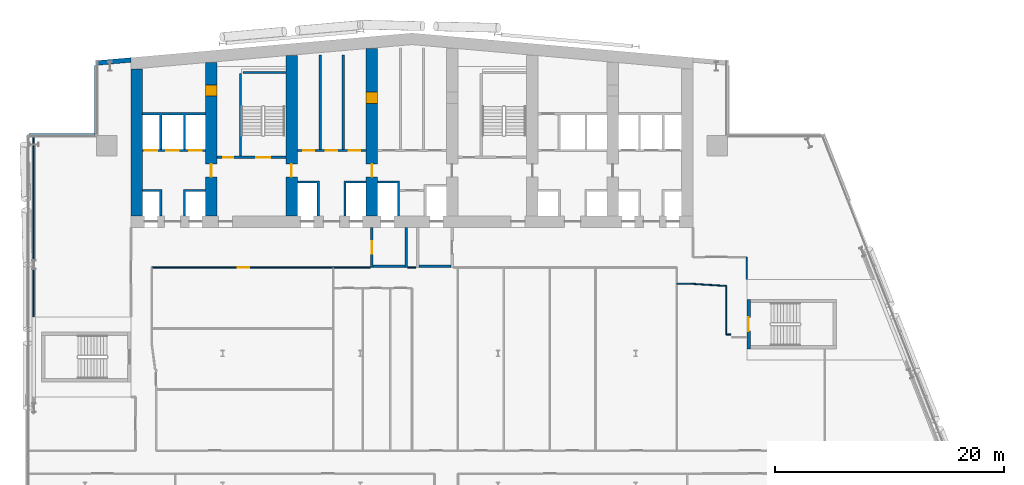
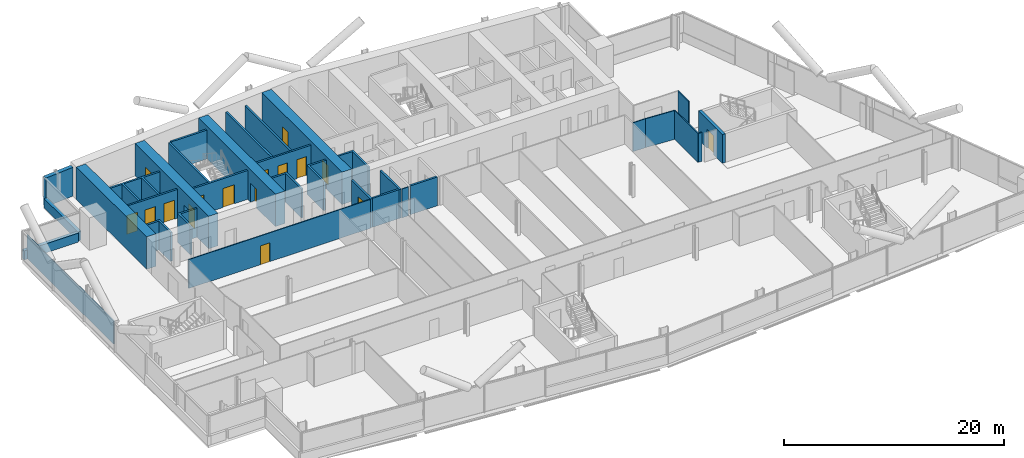
# One storey, part 16 of 27: 33 walls, 16 doors, 16 openings.
"""IFC4 building model written with IfcOpenShell, lengths in metres."""

from ifc_helpers import new_model, si_unit, direction, frame, frame_2d, origin, place, context, subcontext, project, spatial, polyline, rectangle, outline, extrude, material, layer, layer_set, type_object, element, fill, save


model = new_model("IFC4")

# Units and contexts
model_context = context("Model", 3, precision=1e-05, world=origin(), true_north=direction((0.0, 1.0)))
body_context = subcontext(model_context, "Body", "Model", "MODEL_VIEW")
ifc_project = project(units=[si_unit("LENGTHUNIT", "METRE"), si_unit("AREAUNIT", "SQUARE_METRE"), si_unit("VOLUMEUNIT", "CUBIC_METRE"), si_unit("PLANEANGLEUNIT", "RADIAN"), si_unit("MASSUNIT", "GRAM", prefix="KILO")], contexts=[model_context])

# Site, building, storey
site_placement = place(None, origin())
site = spatial("IfcSite", under=ifc_project, at=site_placement, CompositionType="ELEMENT")
building_placement = place(site_placement, origin())
building = spatial("IfcBuilding", under=site, at=building_placement, Name="Wharfspan Tower", CompositionType="ELEMENT")
storey_placement = place(building_placement, frame((0.0, 0.0, 139.899902)))
storey = spatial("IfcBuildingStorey", under=building, at=storey_placement, Name="L33", CompositionType="ELEMENT", Elevation=139.899902)

# Wall, opening, door
ifc_material_1 = material(Name="Gypsum board on steel studs", Category="steel")
ifc_layer_1 = layer(ifc_material_1, 0.100098)
ifc_layer_set_1 = layer_set([ifc_layer_1], Name="Gypsum board on steel studs")
wall_type_1 = type_object("IfcWallType", Name="Compartment wall 100 EI 60", PredefinedType="PARTITIONING", material=ifc_layer_set_1)
wall_1_placement = place(storey_placement, frame((17.800049, 30.5, 0.0), z_axis=(0.0, 0.0, 1.0), x_axis=(1.0, 0.0, 0.0)))
wall_1 = element("IfcWall", 1, at=wall_1_placement, inside=storey, type_object=wall_type_1, Name="Partition L33.w010", PredefinedType="PARTITIONING", context=body_context, shape_type="SweptSolid", body=[
    extrude(rectangle(XDim=19.050049, YDim=0.100098, at=frame_2d((9.524902, 0.0))), origin(), (0.0, 0.0, 1.0), 3.200195),
])
opening_1_placement = place(wall_1_placement, frame((7.5, 0.0, 0.0)))
opening_1 = element("IfcOpeningElement", 2, at=opening_1_placement, cuts=wall_1, Name="Opening B6-20", PredefinedType="OPENING", context=body_context, shape_type="SweptSolid", body=[
    extrude(rectangle(XDim=1.0, YDim=2.100098, at=frame_2d((0.5, 1.050049))), frame((0.0, 0.060059, 0.0), z_axis=(0.0, -1.0, 0.0), x_axis=(1.0, 0.0, 0.0)), (0.0, 0.0, 1.0), 0.120117),
])
ifc_material_2 = material(Name="Fire-rated timber door leaf in steel frame", Category="steel")
door_type_1 = type_object("IfcDoorType", Name="Door 1000 FD30S Left", OperationType="SINGLE_SWING_LEFT", PredefinedType="DOOR", material=ifc_material_2)
door_1_placement = place(opening_1_placement, origin())
door_1 = element("IfcDoor", 3, at=door_1_placement, inside=storey, type_object=door_type_1, Name="Door B6-20", OperationType="SINGLE_SWING_LEFT", OverallHeight=2.100098, OverallWidth=1.0, PredefinedType="DOOR", context=body_context, shape_type="SweptSolid", body=[
    extrude(rectangle(XDim=1.0, YDim=2.100098, at=frame_2d((0.5, 1.050049))), frame((0.0, 0.024902, 0.0), z_axis=(0.0, -1.0, 0.0), x_axis=(1.0, 0.0, 0.0)), (0.0, 0.0, 1.0), 0.050049),
])
fill(opening_1, door_1)

# Walls
wall_2_placement = place(storey_placement, frame((63.574951, 29.074951, 0.0), z_axis=(0.0, 0.0, 1.0), x_axis=(1.0, 0.0, 0.0)))
element("IfcWall", 4, at=wall_2_placement, inside=storey, type_object=wall_type_1, Name="Partition L33.w034", PredefinedType="PARTITIONING", context=body_context, shape_type="SweptSolid", body=[
    extrude(rectangle(XDim=1.285156, YDim=0.100098, at=frame_2d((0.642578, 0.0))), origin(), (0.0, 0.0, 1.0), 3.200195),
])
wall_3_placement = place(storey_placement, frame((67.889893, 24.649902, 0.0), z_axis=(0.0, 0.0, 1.0), x_axis=(0.0, 1.0, 0.0)))
element("IfcWall", 5, at=wall_3_placement, inside=storey, type_object=wall_type_1, Name="Partition L33.w039", PredefinedType="PARTITIONING", context=body_context, shape_type="SweptSolid", body=[
    extrude(rectangle(XDim=4.235107, YDim=0.100098, at=frame_2d((2.117676, 0.0))), origin(), (0.0, 0.0, 1.0), 3.200195),
])
wall_4_placement = place(storey_placement, frame((67.889893, 24.649902, 0.0), z_axis=(0.0, 0.0, 1.0), x_axis=(1.0, 0.0, 0.0)))
element("IfcWall", 6, at=wall_4_placement, inside=storey, type_object=wall_type_1, Name="Partition L33.w040", PredefinedType="PARTITIONING", context=body_context, shape_type="SweptSolid", body=[
    extrude(rectangle(XDim=0.380127, YDim=0.100098, at=frame_2d((0.189941, 0.0))), origin(), (0.0, 0.0, 1.0), 3.200195),
])
wall_5_placement = place(storey_placement, frame((67.889893, 28.88501, 0.0), z_axis=(0.0, 0.0, 1.0), x_axis=(-0.998031, 0.062786, 0.0)))
element("IfcWall", 7, at=wall_5_placement, inside=storey, type_object=wall_type_1, Name="Partition L33.w041", PredefinedType="PARTITIONING", context=body_context, shape_type="SweptSolid", body=[
    extrude(rectangle(XDim=3.02124, YDim=0.100098, at=frame_2d((1.510742, 0.0))), origin(), (0.0, 0.0, 1.0), 3.200195),
])
wall_6_placement = place(storey_placement, frame((69.689941, 29.469971, 0.0), z_axis=(0.0, 0.0, 1.0), x_axis=(0.0, 1.0, 0.0)))
element("IfcWall", 8, at=wall_6_placement, inside=storey, type_object=wall_type_1, Name="Partition L33.w045", PredefinedType="PARTITIONING", context=body_context, shape_type="SweptSolid", body=[
    extrude(rectangle(XDim=1.929932, YDim=0.100098, at=frame_2d((0.964844, 0.0))), origin(), (0.0, 0.0, 1.0), 3.200195),
])
wall_7_placement = place(storey_placement, frame((40.149902, 30.5, 0.0), z_axis=(0.0, 0.0, 1.0), x_axis=(1.0, 0.0, 0.0)))
element("IfcWall", 9, at=wall_7_placement, inside=storey, type_object=wall_type_1, Name="Partition L33.w010 (2)", PredefinedType="PARTITIONING", context=body_context, shape_type="SweptSolid", body=[
    extrude(rectangle(XDim=0.700195, YDim=0.100098, at=frame_2d((0.350098, 0.0))), origin(), (0.0, 0.0, 1.0), 3.200195),
])
ifc_material_3 = material(Name="Calcium silicate masonry", Category="masonry")
ifc_layer_2 = layer(ifc_material_3, 0.199951)
ifc_layer_set_2 = layer_set([ifc_layer_2], Name="Calcium silicate masonry")
wall_type_2 = type_object("IfcWallType", Name="Core room wall 200", PredefinedType="PARTITIONING", material=ifc_layer_set_2)
for number, where, z_axis, x_axis, name in (
    (10, (32.5, 40.800049, 0.0), (0.0, 0.0, 1.0), (0.0, 1.0, 0.0), "sw:L33:RP3.1"),
    (11, (34.5, 40.800049, 0.0), (0.0, 0.0, 1.0), (0.0, 1.0, 0.0), "sw:L33:RP3.2"),
):
    element("IfcWall", number, at=place(storey_placement, frame(where, z_axis=z_axis, x_axis=x_axis)), inside=storey, type_object=wall_type_2, Name=name, PredefinedType="PARTITIONING", context=body_context, shape_type="SweptSolid", body=[
        extrude(rectangle(XDim=8.232178, YDim=0.199951, at=frame_2d((4.116211, 0.0))), origin(), (0.0, 0.0, 1.0), 3.200195),
    ])
ifc_material_4 = material(Name="Concrete C70/85", Category="concrete")
ifc_layer_3 = layer(ifc_material_4, 1.0)
ifc_layer_set_3 = layer_set([ifc_layer_3], Name="Concrete C70/85")
wall_type_3 = type_object("IfcWallType", Name="Core wall 1000 C70/85", PredefinedType="SHEAR", material=ifc_layer_set_3)
wall_8_placement = place(storey_placement, frame((16.5, 35.0, 0.0), z_axis=(0.0, 0.0, 1.0), x_axis=(0.0, 1.0, 0.0)))
element("IfcWall", 12, at=wall_8_placement, inside=storey, type_object=wall_type_3, Name="Core cross wall EW0 L33", PredefinedType="SHEAR", context=body_context, shape_type="SweptSolid", body=[
    extrude(rectangle(XDim=12.783691, YDim=1.0, at=frame_2d((6.391846, 0.0))), origin(), (0.0, 0.0, 1.0), 3.600098),
])

# Wall, openings, doors
wall_9_placement = place(storey_placement, frame((23.0, 35.0, 0.0), z_axis=(0.0, 0.0, 1.0), x_axis=(0.0, 1.0, 0.0)))
wall_9 = element("IfcWall", 13, at=wall_9_placement, inside=storey, type_object=wall_type_3, Name="Core cross wall X2 L33", PredefinedType="SHEAR", context=body_context, shape_type="SweptSolid", body=[
    extrude(rectangle(XDim=13.352295, YDim=1.0, at=frame_2d((6.67627, 0.0))), origin(), (0.0, 0.0, 1.0), 3.600098),
])
opening_2_placement = place(wall_9_placement, frame((10.425537, 0.0, 0.0)))
opening_2 = element("IfcOpeningElement", 14, at=opening_2_placement, cuts=wall_9, Name="Opening CD33.1X", PredefinedType="OPENING", context=body_context, shape_type="SweptSolid", body=[
    extrude(rectangle(XDim=1.0, YDim=2.100098, at=frame_2d((0.5, 1.050049))), frame((0.0, 0.51001, 0.0), z_axis=(0.0, -1.0, 0.0), x_axis=(1.0, 0.0, 0.0)), (0.0, 0.0, 1.0), 1.02002),
])
opening_3_placement = place(wall_9_placement, frame((3.399902, 0.0, 0.0)))
opening_3 = element("IfcOpeningElement", 15, at=opening_3_placement, cuts=wall_9, Name="Opening CC33.2", PredefinedType="OPENING", context=body_context, shape_type="SweptSolid", body=[
    extrude(rectangle(XDim=1.100098, YDim=2.100098, at=frame_2d((0.550049, 1.050049))), frame((0.0, 0.51001, 0.0), z_axis=(0.0, -1.0, 0.0), x_axis=(1.0, 0.0, 0.0)), (0.0, 0.0, 1.0), 1.02002),
])
ifc_material_5 = material(Name="Steel door leaf", Category="steel")
door_type_2 = type_object("IfcDoorType", Name="Core corridor door 1100x2100", OperationType="SINGLE_SWING_LEFT", PredefinedType="DOOR", material=ifc_material_5)
door_2_placement = place(opening_3_placement, origin())
door_2 = element("IfcDoor", 16, at=door_2_placement, inside=storey, type_object=door_type_2, Name="xd:L33:2", OperationType="SINGLE_SWING_RIGHT", OverallHeight=2.100098, OverallWidth=1.100098, PredefinedType="DOOR", context=body_context, shape_type="SweptSolid", body=[
    extrude(rectangle(XDim=1.100098, YDim=2.100098, at=frame_2d((0.550049, 1.050049))), frame((0.0, 0.024902, 0.0), z_axis=(0.0, -1.0, 0.0), x_axis=(1.0, 0.0, 0.0)), (0.0, 0.0, 1.0), 0.050049),
])
fill(opening_3, door_2)
door_type_3 = type_object("IfcDoorType", Name="Core room door 1000x2100", OperationType="SINGLE_SWING_LEFT", PredefinedType="DOOR", material=ifc_material_5)
door_3_placement = place(opening_2_placement, origin())
door_3 = element("IfcDoor", 17, at=door_3_placement, inside=storey, type_object=door_type_3, Name="d:L33:1:sx", OperationType="SINGLE_SWING_LEFT", OverallHeight=2.100098, OverallWidth=1.0, PredefinedType="DOOR", context=body_context, shape_type="SweptSolid", body=[
    extrude(rectangle(XDim=1.0, YDim=2.100098, at=frame_2d((0.5, 1.050049))), frame((0.0, 0.499756, 0.0), z_axis=(0.0, -1.0, 0.0), x_axis=(1.0, 0.0, 0.0)), (0.0, 0.0, 1.0), 0.999512),
])
fill(opening_2, door_3)

# Wall, opening, door
wall_10_placement = place(storey_placement, frame((30.0, 35.0, 0.0), z_axis=(0.0, 0.0, 1.0), x_axis=(0.0, 1.0, 0.0)))
wall_10 = element("IfcWall", 18, at=wall_10_placement, inside=storey, type_object=wall_type_3, Name="Core cross wall X3 L33", PredefinedType="SHEAR", context=body_context, shape_type="SweptSolid", body=[
    extrude(rectangle(XDim=13.9646, YDim=1.0, at=frame_2d((6.982422, 0.0))), origin(), (0.0, 0.0, 1.0), 3.600098),
])
opening_4_placement = place(wall_10_placement, frame((3.399902, 0.0, 0.0)))
opening_4 = element("IfcOpeningElement", 19, at=opening_4_placement, cuts=wall_10, Name="Opening CC33.3", PredefinedType="OPENING", context=body_context, shape_type="SweptSolid", body=[
    extrude(rectangle(XDim=1.100098, YDim=2.100098, at=frame_2d((0.550049, 1.050049))), frame((0.0, 0.51001, 0.0), z_axis=(0.0, -1.0, 0.0), x_axis=(1.0, 0.0, 0.0)), (0.0, 0.0, 1.0), 1.02002),
])
door_4_placement = place(opening_4_placement, origin())
door_4 = element("IfcDoor", 20, at=door_4_placement, inside=storey, type_object=door_type_2, Name="xd:L33:3", OperationType="SINGLE_SWING_LEFT", OverallHeight=2.100098, OverallWidth=1.100098, PredefinedType="DOOR", context=body_context, shape_type="SweptSolid", body=[
    extrude(rectangle(XDim=1.100098, YDim=2.100098, at=frame_2d((0.550049, 1.050049))), frame((0.0, 0.024902, 0.0), z_axis=(0.0, -1.0, 0.0), x_axis=(1.0, 0.0, 0.0)), (0.0, 0.0, 1.0), 0.050049),
])
fill(opening_4, door_4)

# Wall, openings, doors
wall_11_placement = place(storey_placement, frame((37.0, 35.0, 0.0), z_axis=(0.0, 0.0, 1.0), x_axis=(0.0, 1.0, 0.0)))
wall_11 = element("IfcWall", 21, at=wall_11_placement, inside=storey, type_object=wall_type_3, Name="Core cross wall X4 L33", PredefinedType="SHEAR", context=body_context, shape_type="SweptSolid", body=[
    extrude(rectangle(XDim=14.577148, YDim=1.0, at=frame_2d((7.288574, 0.0))), origin(), (0.0, 0.0, 1.0), 3.600098),
])
opening_5_placement = place(wall_11_placement, frame((3.399902, 0.0, 0.0)))
opening_5 = element("IfcOpeningElement", 22, at=opening_5_placement, cuts=wall_11, Name="Opening CC33.4", PredefinedType="OPENING", context=body_context, shape_type="SweptSolid", body=[
    extrude(rectangle(XDim=1.100098, YDim=2.100098, at=frame_2d((0.550049, 1.050049))), frame((0.0, 0.51001, 0.0), z_axis=(0.0, -1.0, 0.0), x_axis=(1.0, 0.0, 0.0)), (0.0, 0.0, 1.0), 1.02002),
])
opening_6_placement = place(wall_11_placement, frame((9.800049, 0.0, 0.0)))
opening_6 = element("IfcOpeningElement", 23, at=opening_6_placement, cuts=wall_11, Name="Opening CR33.4", PredefinedType="OPENING", context=body_context, shape_type="SweptSolid", body=[
    extrude(rectangle(XDim=1.0, YDim=2.100098, at=frame_2d((0.5, 1.050049))), frame((0.0, 0.51001, 0.0), z_axis=(0.0, -1.0, 0.0), x_axis=(1.0, 0.0, 0.0)), (0.0, 0.0, 1.0), 1.02002),
])
door_5_placement = place(opening_5_placement, origin())
door_5 = element("IfcDoor", 24, at=door_5_placement, inside=storey, type_object=door_type_2, Name="xd:L33:4", OperationType="SINGLE_SWING_RIGHT", OverallHeight=2.100098, OverallWidth=1.100098, PredefinedType="DOOR", context=body_context, shape_type="SweptSolid", body=[
    extrude(rectangle(XDim=1.100098, YDim=2.100098, at=frame_2d((0.550049, 1.050049))), frame((0.0, 0.024902, 0.0), z_axis=(0.0, -1.0, 0.0), x_axis=(1.0, 0.0, 0.0)), (0.0, 0.0, 1.0), 0.050049),
])
fill(opening_5, door_5)
door_6_placement = place(opening_6_placement, origin())
door_6 = element("IfcDoor", 25, at=door_6_placement, inside=storey, type_object=door_type_3, Name="xr:L33:4", OperationType="SINGLE_SWING_RIGHT", OverallHeight=2.100098, OverallWidth=1.0, PredefinedType="DOOR", context=body_context, shape_type="SweptSolid", body=[
    extrude(rectangle(XDim=1.0, YDim=2.100098, at=frame_2d((0.5, 1.050049))), frame((0.0, 0.499756, 0.0), z_axis=(0.0, -1.0, 0.0), x_axis=(1.0, 0.0, 0.0)), (0.0, 0.0, 1.0), 0.999512),
])
fill(opening_6, door_6)

ifc_material_6 = material(Name="Concrete C30/37", Category="concrete")
ifc_layer_4 = layer(ifc_material_6, 0.199951)
ifc_layer_set_4 = layer_set([ifc_layer_4], Name="Concrete C30/37")
wall_type_4 = type_object("IfcWallType", Name="Lift shaft wall 200", PredefinedType="PARTITIONING", material=ifc_layer_set_4)
wall_12_placement = place(storey_placement, frame((17.0, 40.699951, 0.0), z_axis=(0.0, 0.0, 1.0), x_axis=(1.0, 0.0, 0.0)))
wall_12 = element("IfcWall", 26, at=wall_12_placement, inside=storey, type_object=wall_type_4, Name="sw:L33:RF1", PredefinedType="PARTITIONING", context=body_context, shape_type="SweptSolid", body=[
    extrude(rectangle(XDim=5.5, YDim=0.199951, at=frame_2d((2.75, 0.0))), origin(), (0.0, 0.0, 1.0), 3.200195),
])
opening_7_placement = place(wall_12_placement, frame((0.199951, 0.0, 0.0)))
opening_7 = element("IfcOpeningElement", 27, at=opening_7_placement, cuts=wall_12, Name="Opening LD.LA3.L33", PredefinedType="OPENING", context=body_context, shape_type="SweptSolid", body=[
    extrude(rectangle(XDim=1.100098, YDim=2.100098, at=frame_2d((0.550049, 1.050049))), frame((0.0, 0.109863, 0.0), z_axis=(0.0, -1.0, 0.0), x_axis=(1.0, 0.0, 0.0)), (0.0, 0.0, 1.0), 0.219971),
])
opening_8_placement = place(wall_12_placement, frame((2.083252, 0.0, 0.0)))
opening_8 = element("IfcOpeningElement", 28, at=opening_8_placement, cuts=wall_12, Name="Opening LD.LA4.L33", PredefinedType="OPENING", context=body_context, shape_type="SweptSolid", body=[
    extrude(rectangle(XDim=1.100098, YDim=2.100098, at=frame_2d((0.550049, 1.050049))), frame((0.0, 0.109863, 0.0), z_axis=(0.0, -1.0, 0.0), x_axis=(1.0, 0.0, 0.0)), (0.0, 0.0, 1.0), 0.219971),
])
opening_9_placement = place(wall_12_placement, frame((4.083252, 0.0, 0.0)))
opening_9 = element("IfcOpeningElement", 29, at=opening_9_placement, cuts=wall_12, Name="Opening LD.LA5.L33", PredefinedType="OPENING", context=body_context, shape_type="SweptSolid", body=[
    extrude(rectangle(XDim=1.100098, YDim=2.100098, at=frame_2d((0.550049, 1.050049))), frame((0.0, 0.109863, 0.0), z_axis=(0.0, -1.0, 0.0), x_axis=(1.0, 0.0, 0.0)), (0.0, 0.0, 1.0), 0.219971),
])
ifc_material_7 = material(Name="Stainless steel", Category="steel")
door_type_4 = type_object("IfcDoorType", Name="Lift landing door 1100x2100", OperationType="DOUBLE_DOOR_SLIDING", PredefinedType="DOOR", material=ifc_material_7)
door_7_placement = place(opening_7_placement, origin())
door_7 = element("IfcDoor", 30, at=door_7_placement, inside=storey, type_object=door_type_4, Name="Landing door LA3 L33", OperationType="DOUBLE_DOOR_SLIDING", OverallHeight=2.100098, OverallWidth=1.100098, PredefinedType="DOOR", context=body_context, shape_type="SweptSolid", body=[
    extrude(rectangle(XDim=1.100098, YDim=2.100098, at=frame_2d((0.550049, 1.050049))), frame((0.0, 0.024902, 0.0), z_axis=(0.0, -1.0, 0.0), x_axis=(1.0, 0.0, 0.0)), (0.0, 0.0, 1.0), 0.050049),
])
fill(opening_7, door_7)
door_8_placement = place(opening_8_placement, origin())
door_8 = element("IfcDoor", 31, at=door_8_placement, inside=storey, type_object=door_type_4, Name="Landing door LA4 L33", OperationType="DOUBLE_DOOR_SLIDING", OverallHeight=2.100098, OverallWidth=1.100098, PredefinedType="DOOR", context=body_context, shape_type="SweptSolid", body=[
    extrude(rectangle(XDim=1.100098, YDim=2.100098, at=frame_2d((0.550049, 1.050049))), frame((0.0, 0.024902, 0.0), z_axis=(0.0, -1.0, 0.0), x_axis=(1.0, 0.0, 0.0)), (0.0, 0.0, 1.0), 0.050049),
])
fill(opening_8, door_8)
door_9_placement = place(opening_9_placement, origin())
door_9 = element("IfcDoor", 32, at=door_9_placement, inside=storey, type_object=door_type_4, Name="Landing door LA5 L33", OperationType="DOUBLE_DOOR_SLIDING", OverallHeight=2.100098, OverallWidth=1.100098, PredefinedType="DOOR", context=body_context, shape_type="SweptSolid", body=[
    extrude(rectangle(XDim=1.100098, YDim=2.100098, at=frame_2d((0.550049, 1.050049))), frame((0.0, 0.024902, 0.0), z_axis=(0.0, -1.0, 0.0), x_axis=(1.0, 0.0, 0.0)), (0.0, 0.0, 1.0), 0.050049),
])
fill(opening_9, door_9)

# Walls
wall_13_placement = place(storey_placement, origin())
element("IfcWall", 33, at=wall_13_placement, inside=storey, type_object=wall_type_4, Name="sw:L33:FM1.0", PredefinedType="PARTITIONING", context=body_context, shape_type="SweptSolid", body=[
    extrude(outline(polyline([(18.5, 37.100098), (17.0, 37.100098), (17.0, 37.300049), (18.5, 37.300049), (18.699951, 37.300049), (18.699951, 35.0), (18.5, 35.0), (18.5, 37.100098)])), origin(), (0.0, 0.0, 1.0), 3.200195),
])
wall_14_placement = place(storey_placement, origin())
element("IfcWall", 34, at=wall_14_placement, inside=storey, type_object=wall_type_4, Name="sw:L33:FM1.1", PredefinedType="PARTITIONING", context=body_context, shape_type="SweptSolid", body=[
    extrude(outline(polyline([(20.56665, 37.300049), (20.766602, 37.300049), (22.5, 37.300049), (22.5, 37.100098), (20.766602, 37.100098), (20.766602, 35.0), (20.56665, 35.0), (20.56665, 37.300049)])), origin(), (0.0, 0.0, 1.0), 3.200195),
])
wall_15_placement = place(storey_placement, origin())
element("IfcWall", 35, at=wall_15_placement, inside=storey, type_object=wall_type_4, Name="sw:L33:RM1.0", PredefinedType="PARTITIONING", context=body_context, shape_type="SweptSolid", body=[
    extrude(outline(polyline([(18.699951, 40.800049), (18.5, 40.800049), (18.5, 43.800049), (17.0, 43.800049), (17.0, 44.0), (22.5, 44.0), (22.5, 43.800049), (20.766602, 43.800049), (20.766602, 40.800049), (20.56665, 40.800049), (20.56665, 43.800049), (18.699951, 43.800049), (18.699951, 40.800049)])), origin(), (0.0, 0.0, 1.0), 3.200195),
])

# Wall, openings, doors
wall_16_placement = place(storey_placement, frame((30.5, 40.699951, 0.0), z_axis=(0.0, 0.0, 1.0), x_axis=(1.0, 0.0, 0.0)))
wall_16 = element("IfcWall", 36, at=wall_16_placement, inside=storey, type_object=wall_type_4, Name="sw:L33:RF3", PredefinedType="PARTITIONING", context=body_context, shape_type="SweptSolid", body=[
    extrude(rectangle(XDim=6.0, YDim=0.199951, at=frame_2d((3.0, 0.0))), origin(), (0.0, 0.0, 1.0), 3.200195),
])
opening_10_placement = place(wall_16_placement, frame((0.5, 0.0, 0.0)))
opening_10 = element("IfcOpeningElement", 37, at=opening_10_placement, cuts=wall_16, Name="Opening CD33.3S", PredefinedType="OPENING", context=body_context, shape_type="SweptSolid", body=[
    extrude(rectangle(XDim=1.0, YDim=2.100098, at=frame_2d((0.5, 1.050049))), frame((0.0, 0.109863, 0.0), z_axis=(0.0, -1.0, 0.0), x_axis=(1.0, 0.0, 0.0)), (0.0, 0.0, 1.0), 0.219971),
])
opening_11_placement = place(wall_16_placement, frame((2.5, 0.0, 0.0)))
opening_11 = element("IfcOpeningElement", 38, at=opening_11_placement, cuts=wall_16, Name="Opening CD33.3Sa", PredefinedType="OPENING", context=body_context, shape_type="SweptSolid", body=[
    extrude(rectangle(XDim=1.0, YDim=2.100098, at=frame_2d((0.5, 1.050049))), frame((0.0, 0.109863, 0.0), z_axis=(0.0, -1.0, 0.0), x_axis=(1.0, 0.0, 0.0)), (0.0, 0.0, 1.0), 0.219971),
])
opening_12_placement = place(wall_16_placement, frame((4.5, 0.0, 0.0)))
opening_12 = element("IfcOpeningElement", 39, at=opening_12_placement, cuts=wall_16, Name="Opening CD33.3Sb", PredefinedType="OPENING", context=body_context, shape_type="SweptSolid", body=[
    extrude(rectangle(XDim=1.0, YDim=2.100098, at=frame_2d((0.5, 1.050049))), frame((0.0, 0.109863, 0.0), z_axis=(0.0, -1.0, 0.0), x_axis=(1.0, 0.0, 0.0)), (0.0, 0.0, 1.0), 0.219971),
])
door_10_placement = place(opening_10_placement, origin())
door_10 = element("IfcDoor", 40, at=door_10_placement, inside=storey, type_object=door_type_3, Name="d:L33:3:sf", OperationType="SINGLE_SWING_LEFT", OverallHeight=2.100098, OverallWidth=1.0, PredefinedType="DOOR", context=body_context, shape_type="SweptSolid", body=[
    extrude(rectangle(XDim=1.0, YDim=2.100098, at=frame_2d((0.5, 1.050049))), frame((0.0, 0.024902, 0.0), z_axis=(0.0, -1.0, 0.0), x_axis=(1.0, 0.0, 0.0)), (0.0, 0.0, 1.0), 0.050049),
])
fill(opening_10, door_10)
door_11_placement = place(opening_11_placement, origin())
door_11 = element("IfcDoor", 41, at=door_11_placement, inside=storey, type_object=door_type_3, Name="d:L33:3:sf1", OperationType="SINGLE_SWING_LEFT", OverallHeight=2.100098, OverallWidth=1.0, PredefinedType="DOOR", context=body_context, shape_type="SweptSolid", body=[
    extrude(rectangle(XDim=1.0, YDim=2.100098, at=frame_2d((0.5, 1.050049))), frame((0.0, 0.024902, 0.0), z_axis=(0.0, -1.0, 0.0), x_axis=(1.0, 0.0, 0.0)), (0.0, 0.0, 1.0), 0.050049),
])
fill(opening_11, door_11)
door_12_placement = place(opening_12_placement, origin())
door_12 = element("IfcDoor", 42, at=door_12_placement, inside=storey, type_object=door_type_3, Name="d:L33:3:sf2", OperationType="SINGLE_SWING_LEFT", OverallHeight=2.100098, OverallWidth=1.0, PredefinedType="DOOR", context=body_context, shape_type="SweptSolid", body=[
    extrude(rectangle(XDim=1.0, YDim=2.100098, at=frame_2d((0.5, 1.050049))), frame((0.0, 0.024902, 0.0), z_axis=(0.0, -1.0, 0.0), x_axis=(1.0, 0.0, 0.0)), (0.0, 0.0, 1.0), 0.050049),
])
fill(opening_12, door_12)

# Walls
wall_17_placement = place(storey_placement, origin())
element("IfcWall", 43, at=wall_17_placement, inside=storey, type_object=wall_type_4, Name="sw:L33:FM3.0", PredefinedType="PARTITIONING", context=body_context, shape_type="SweptSolid", body=[
    extrude(outline(polyline([(32.233398, 37.850098), (30.5, 37.850098), (30.5, 38.050049), (32.233398, 38.050049), (32.43335, 38.050049), (32.43335, 35.0), (32.233398, 35.0), (32.233398, 37.850098)])), origin(), (0.0, 0.0, 1.0), 3.200195),
])
wall_18_placement = place(storey_placement, origin())
element("IfcWall", 44, at=wall_18_placement, inside=storey, type_object=wall_type_4, Name="sw:L33:FM3.1", PredefinedType="PARTITIONING", context=body_context, shape_type="SweptSolid", body=[
    extrude(outline(polyline([(34.56665, 38.050049), (34.766602, 38.050049), (36.5, 38.050049), (36.5, 37.850098), (34.766602, 37.850098), (34.766602, 35.0), (34.56665, 35.0), (34.56665, 38.050049)])), origin(), (0.0, 0.0, 1.0), 3.200195),
])
wall_19_placement = place(storey_placement, origin())
element("IfcWall", 45, at=wall_19_placement, inside=storey, type_object=wall_type_4, Name="sw:L33:FM4.1", PredefinedType="PARTITIONING", context=body_context, shape_type="SweptSolid", body=[
    extrude(outline(polyline([(39.233398, 37.850098), (37.5, 37.850098), (37.5, 38.050049), (39.233398, 38.050049), (39.43335, 38.050049), (39.43335, 35.0), (39.233398, 35.0), (39.233398, 37.850098)])), origin(), (0.0, 0.0, 1.0), 3.200195),
])

# Wall, opening, door
ifc_layer_5 = layer(ifc_material_6, 0.199951)
ifc_layer_set_5 = layer_set([ifc_layer_5], Name="Concrete C30/37")
wall_type_5 = type_object("IfcWallType", Name="Lobby wall 200", PredefinedType="PARTITIONING", material=ifc_layer_set_5)
wall_20_placement = place(storey_placement, frame((37.0, 30.5, 0.0), z_axis=(0.0, 0.0, 1.0), x_axis=(0.0, 1.0, 0.0)))
wall_20 = element("IfcWall", 46, at=wall_20_placement, inside=storey, type_object=wall_type_5, Name="sw:L33:FLFF1W", PredefinedType="PARTITIONING", context=body_context, shape_type="SweptSolid", body=[
    extrude(rectangle(XDim=3.5, YDim=0.199951, at=frame_2d((1.75, 0.0))), origin(), (0.0, 0.0, 1.0), 3.200195),
])
opening_13_placement = place(wall_20_placement, frame((1.199951, 0.0, 0.0)))
opening_13 = element("IfcOpeningElement", 47, at=opening_13_placement, cuts=wall_20, Name="Opening FL.FF1.L33", PredefinedType="OPENING", context=body_context, shape_type="SweptSolid", body=[
    extrude(rectangle(XDim=1.100098, YDim=2.100098, at=frame_2d((0.550049, 1.050049))), frame((0.0, 0.109863, 0.0), z_axis=(0.0, -1.0, 0.0), x_axis=(1.0, 0.0, 0.0)), (0.0, 0.0, 1.0), 0.219971),
])
door_type_5 = type_object("IfcDoorType", Name="Firefighting lobby door 1100x2100", OperationType="SINGLE_SWING_LEFT", PredefinedType="DOOR", material=ifc_material_5)
door_13_placement = place(opening_13_placement, origin())
door_13 = element("IfcDoor", 48, at=door_13_placement, inside=storey, type_object=door_type_5, Name="fd:L33:FF1", OperationType="SINGLE_SWING_LEFT", OverallHeight=2.100098, OverallWidth=1.100098, PredefinedType="DOOR", context=body_context, shape_type="SweptSolid", body=[
    extrude(rectangle(XDim=1.100098, YDim=2.100098, at=frame_2d((0.550049, 1.050049))), frame((0.0, 0.024902, 0.0), z_axis=(0.0, -1.0, 0.0), x_axis=(1.0, 0.0, 0.0)), (0.0, 0.0, 1.0), 0.050049),
])
fill(opening_13, door_13)

# Walls
wall_21_placement = place(storey_placement, frame((40.0, 30.5, 0.0), z_axis=(0.0, 0.0, 1.0), x_axis=(0.0, 1.0, 0.0)))
element("IfcWall", 49, at=wall_21_placement, inside=storey, type_object=wall_type_5, Name="sw:L33:FLFF1E", PredefinedType="PARTITIONING", context=body_context, shape_type="SweptSolid", body=[
    extrude(rectangle(XDim=3.5, YDim=0.199951, at=frame_2d((1.75, 0.0))), origin(), (0.0, 0.0, 1.0), 3.200195),
])
for number, where, z_axis, x_axis, name in (
    (50, (37.100098, 30.600098, 0.0), (0.0, 0.0, 1.0), (1.0, 0.0, 0.0), "sw:L33:FLFF1F"),
    (51, (41.100098, 30.600098, 0.0), (0.0, 0.0, 1.0), (1.0, 0.0, 0.0), "sw:L33:FLFF2F"),
):
    element("IfcWall", number, at=place(storey_placement, frame(where, z_axis=z_axis, x_axis=x_axis)), inside=storey, type_object=wall_type_5, Name=name, PredefinedType="PARTITIONING", context=body_context, shape_type="SweptSolid", body=[
        extrude(rectangle(XDim=2.799805, YDim=0.199951, at=frame_2d((1.399902, 0.0))), origin(), (0.0, 0.0, 1.0), 3.200195),
    ])
ifc_layer_6 = layer(ifc_material_1, 0.100098)
ifc_layer_set_6 = layer_set([ifc_layer_6], Name="Gypsum board on steel studs")
wall_type_6 = type_object("IfcWallType", Name="Partition 100", PredefinedType="PARTITIONING", material=ifc_layer_set_6)
wall_22_placement = place(storey_placement, frame((7.51001, 26.219971, 0.0), z_axis=(0.0, 0.0, 1.0), x_axis=(0.0, 1.0, 0.0)))
element("IfcWall", 52, at=wall_22_placement, inside=storey, type_object=wall_type_6, Name="Partition L33.w004", PredefinedType="PARTITIONING", context=body_context, shape_type="SweptSolid", body=[
    extrude(rectangle(XDim=15.76001, YDim=0.100098, at=frame_2d((7.879883, 0.0))), origin(), (0.0, 0.0, 1.0), 2.580078),
])
ifc_material_8 = material(Name="Concrete C40/50", Category="concrete")
ifc_layer_7 = layer(ifc_material_8, 0.350098)
ifc_layer_set_7 = layer_set([ifc_layer_7], Name="Concrete C40/50")
wall_type_7 = type_object("IfcWallType", Name="SPANDREL EXPOSED CONCRETE 350", PredefinedType="SOLIDWALL", material=ifc_layer_set_7)
wall_23_placement = place(storey_placement, frame((12.995117, 48.126465, 0.0), z_axis=(0.0, 0.0, 1.0), x_axis=(0.0, -1.0, 0.0)))
element("IfcWall", 53, at=wall_23_placement, inside=storey, type_object=wall_type_7, Name="Spandrel upstand L33 NRW-V", PredefinedType="SOLIDWALL", context=body_context, shape_type="SweptSolid", body=[
    extrude(rectangle(XDim=6.126465, YDim=0.350098, at=frame_2d((3.063232, 0.0))), origin(), (0.0, 0.0, 1.0), 1.0),
])
wall_24_placement = place(storey_placement, frame((12.820068, 42.004883, 0.0), z_axis=(0.0, 0.0, 1.0), x_axis=(-1.0, 0.0, 0.0)))
element("IfcWall", 54, at=wall_24_placement, inside=storey, type_object=wall_type_7, Name="Spandrel upstand L33 NRW-H", PredefinedType="SOLIDWALL", context=body_context, shape_type="SweptSolid", body=[
    extrude(rectangle(XDim=5.699951, YDim=0.350098, at=frame_2d((2.850098, 0.0))), origin(), (0.0, 0.0, 1.0), 1.0),
])

# Wall, opening, door
ifc_layer_8 = layer(ifc_material_8, 0.300049)
ifc_layer_set_8 = layer_set([ifc_layer_8], Name="Concrete C40/50")
wall_type_8 = type_object("IfcWallType", Name="Stair core wall 300", PredefinedType="SHEAR", material=ifc_layer_set_8)
wall_25_placement = place(storey_placement, frame((69.840332, 23.375, 0.0), z_axis=(0.0, 0.0, 1.0), x_axis=(0.0, 1.0, 0.0)))
wall_25 = element("IfcWall", 55, at=wall_25_placement, inside=storey, type_object=wall_type_8, Name="ST6 stair enclosure wall L33", PredefinedType="SHEAR", context=body_context, shape_type="SweptSolid", body=[
    extrude(rectangle(XDim=4.350098, YDim=0.300049, at=frame_2d((2.175049, 0.0))), origin(), (0.0, 0.0, 1.0), 3.200195),
])
opening_14_placement = place(wall_25_placement, frame((1.574951, 0.0, 0.0)))
opening_14 = element("IfcOpeningElement", 56, at=opening_14_placement, cuts=wall_25, Name="Opening SD6.L33", PredefinedType="OPENING", context=body_context, shape_type="SweptSolid", body=[
    extrude(rectangle(XDim=1.199951, YDim=2.100098, at=frame_2d((0.600098, 1.050049))), frame((0.0, 0.159912, 0.0), z_axis=(0.0, -1.0, 0.0), x_axis=(1.0, 0.0, 0.0)), (0.0, 0.0, 1.0), 0.320068),
])
door_type_6 = type_object("IfcDoorType", Name="Stair door 1200x2100", OperationType="SINGLE_SWING_LEFT", PredefinedType="DOOR", material=ifc_material_5)
door_14_placement = place(opening_14_placement, origin())
door_14 = element("IfcDoor", 57, at=door_14_placement, inside=storey, type_object=door_type_6, Name="sd:L33:ST6z2", OperationType="SINGLE_SWING_RIGHT", OverallHeight=2.100098, OverallWidth=1.199951, PredefinedType="DOOR", context=body_context, shape_type="SweptSolid", body=[
    extrude(rectangle(XDim=1.199951, YDim=2.100098, at=frame_2d((0.600098, 1.050049))), frame((0.0, 0.024902, 0.0), z_axis=(0.0, -1.0, 0.0), x_axis=(1.0, 0.0, 0.0)), (0.0, 0.0, 1.0), 0.050049),
])
fill(opening_14, door_14)

# Wall, openings, doors
ifc_layer_9 = layer(ifc_material_8, 0.199951)
ifc_layer_set_9 = layer_set([ifc_layer_9], Name="Concrete C40/50")
wall_type_9 = type_object("IfcWallType", Name="Stair shaft wall 200", PredefinedType="SHEAR", material=ifc_layer_set_9)
wall_26_placement = place(storey_placement, frame((23.5, 40.100098, 0.0), z_axis=(0.0, 0.0, 1.0), x_axis=(1.0, 0.0, 0.0)))
wall_26 = element("IfcWall", 58, at=wall_26_placement, inside=storey, type_object=wall_type_9, Name="ST1 stair enclosure wall L33", PredefinedType="SHEAR", context=body_context, shape_type="SweptSolid", body=[
    extrude(rectangle(XDim=6.0, YDim=0.199951, at=frame_2d((3.0, 0.0))), origin(), (0.0, 0.0, 1.0), 3.200195),
])
opening_15_placement = place(wall_26_placement, frame((3.425049, 0.0, 0.0)))
opening_15 = element("IfcOpeningElement", 59, at=opening_15_placement, cuts=wall_26, Name="Opening SD2.L33", PredefinedType="OPENING", context=body_context, shape_type="SweptSolid", body=[
    extrude(rectangle(XDim=1.199951, YDim=2.100098, at=frame_2d((0.600098, 1.050049))), frame((0.0, 0.109863, 0.0), z_axis=(0.0, -1.0, 0.0), x_axis=(1.0, 0.0, 0.0)), (0.0, 0.0, 1.0), 0.219971),
])
opening_16_placement = place(wall_26_placement, frame((0.524902, 0.0, 0.0)))
opening_16 = element("IfcOpeningElement", 60, at=opening_16_placement, cuts=wall_26, Name="Opening CD33.2R", PredefinedType="OPENING", context=body_context, shape_type="SweptSolid", body=[
    extrude(rectangle(XDim=0.899902, YDim=2.100098, at=frame_2d((0.449951, 1.050049))), frame((0.0, 0.109863, 0.0), z_axis=(0.0, -1.0, 0.0), x_axis=(1.0, 0.0, 0.0)), (0.0, 0.0, 1.0), 0.219971),
])
door_15_placement = place(opening_16_placement, origin())
door_15 = element("IfcDoor", 61, at=door_15_placement, inside=storey, type_object=door_type_3, Name="rk:L33:2", OperationType="SINGLE_SWING_LEFT", OverallHeight=2.100098, OverallWidth=0.899902, PredefinedType="DOOR", context=body_context, shape_type="SweptSolid", body=[
    extrude(rectangle(XDim=0.899902, YDim=2.100098, at=frame_2d((0.449951, 1.050049))), frame((0.0, 0.024902, 0.0), z_axis=(0.0, -1.0, 0.0), x_axis=(1.0, 0.0, 0.0)), (0.0, 0.0, 1.0), 0.050049),
])
fill(opening_16, door_15)
door_16_placement = place(opening_15_placement, origin())
door_16 = element("IfcDoor", 62, at=door_16_placement, inside=storey, type_object=door_type_6, Name="sd:L33:2", OperationType="SINGLE_SWING_RIGHT", OverallHeight=2.100098, OverallWidth=1.199951, PredefinedType="DOOR", context=body_context, shape_type="SweptSolid", body=[
    extrude(rectangle(XDim=1.199951, YDim=2.100098, at=frame_2d((0.600098, 1.050049))), frame((0.0, 0.024902, 0.0), z_axis=(0.0, -1.0, 0.0), x_axis=(1.0, 0.0, 0.0)), (0.0, 0.0, 1.0), 0.050049),
])
fill(opening_15, door_16)

# Walls
wall_27_placement = place(storey_placement, frame((25.550049, 40.199951, 0.0), z_axis=(0.0, 0.0, 1.0), x_axis=(0.0, 1.0, 0.0)))
element("IfcWall", 63, at=wall_27_placement, inside=storey, type_object=wall_type_9, Name="ST1 stair enclosure wall L33", PredefinedType="SHEAR", context=body_context, shape_type="SweptSolid", body=[
    extrude(rectangle(XDim=7.199951, YDim=0.199951, at=frame_2d((3.600098, 0.0))), origin(), (0.0, 0.0, 1.0), 3.200195),
])
wall_28_placement = place(storey_placement, frame((25.75, 47.5, 0.0), z_axis=(0.0, 0.0, 1.0), x_axis=(1.0, 0.0, 0.0)))
element("IfcWall", 64, at=wall_28_placement, inside=storey, type_object=wall_type_9, Name="ST1 stair enclosure wall L33", PredefinedType="SHEAR", context=body_context, shape_type="SweptSolid", body=[
    extrude(rectangle(XDim=3.75, YDim=0.199951, at=frame_2d((1.875, 0.0))), origin(), (0.0, 0.0, 1.0), 3.200195),
])
ifc_layer_10 = layer(ifc_material_8, 0.399902)
ifc_layer_set_10 = layer_set([ifc_layer_10], Name="Concrete C40/50")
wall_type_10 = type_object("IfcWallType", Name="WALL EXPOSED CONCRETE 400", PredefinedType="SOLIDWALL", material=ifc_layer_set_10)
wall_29_placement = place(storey_placement, frame((16.0, 48.58667, 0.0), z_axis=(0.0, 0.0, 1.0), x_axis=(-0.996194, -0.087168, 0.0)))
element("IfcWall", 65, at=wall_29_placement, inside=storey, type_object=wall_type_10, Name="Rear wall N1", PredefinedType="SOLIDWALL", context=body_context, shape_type="SweptSolid", body=[
    extrude(rectangle(XDim=2.994141, YDim=0.399902, at=frame_2d((1.49707, 0.0))), origin(), (0.0, 0.0, 1.0), 3.200195),
])

save(model, "model.ifc")
